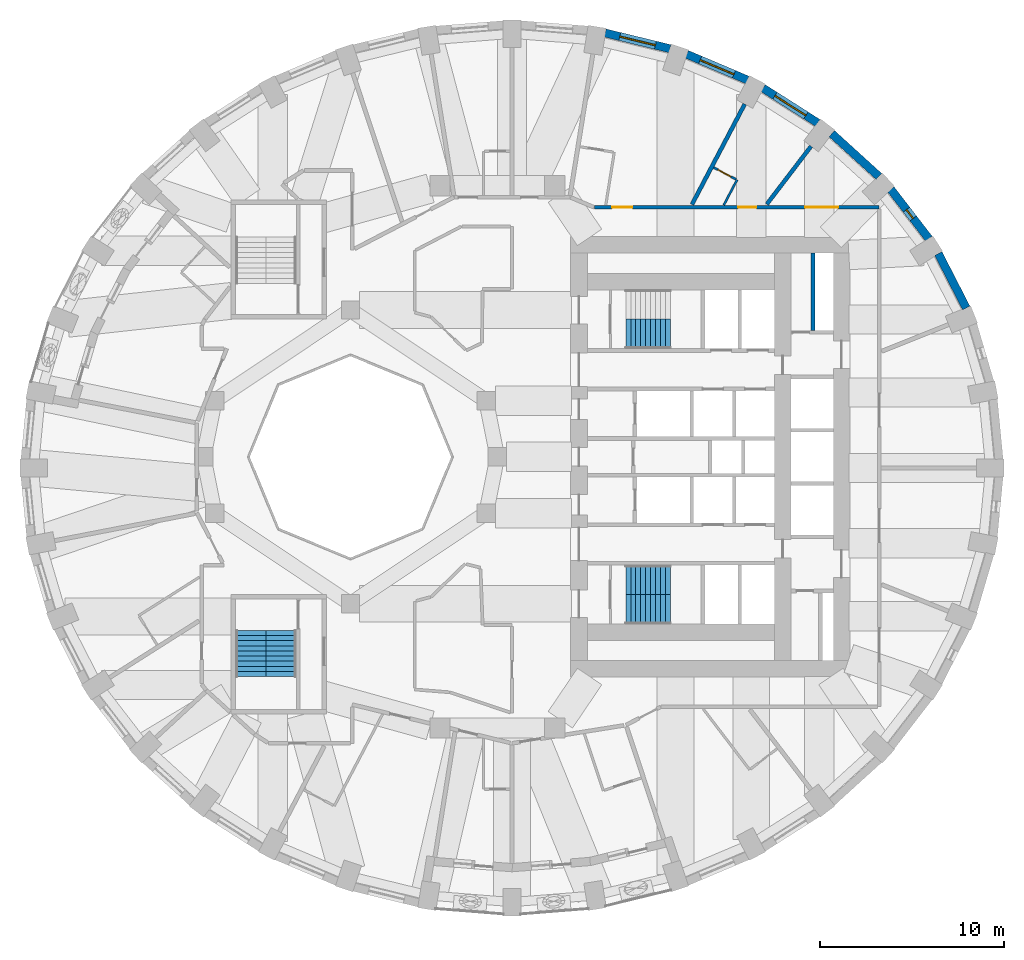
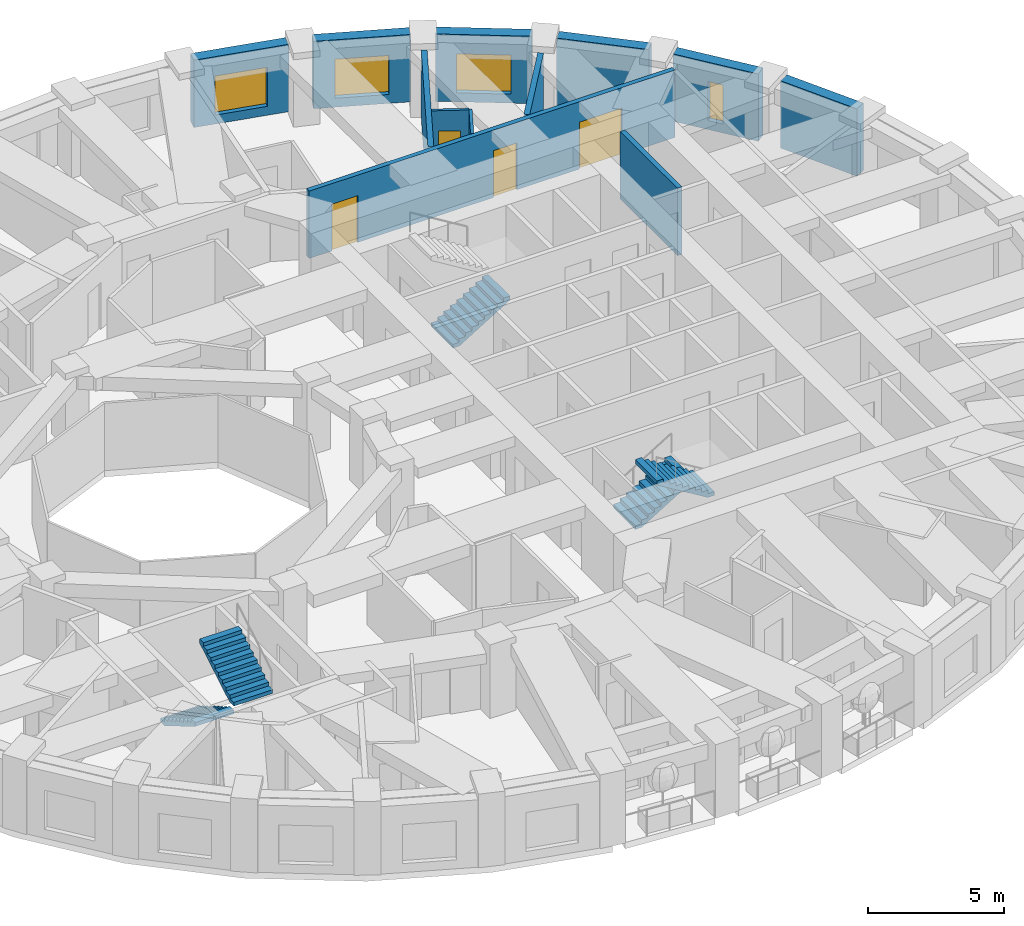
# One storey, part 9 of 13: 12 walls, 5 stair flights, 4 doors, 4 windows, 8 openings, 3 elements without a shape of their own.
"""IFC4 building model written with IfcOpenShell, lengths in metres."""

from ifc_helpers import new_model, si_unit, direction, frame, frame_2d, origin, place, context, subcontext, project, spatial, polyline, rectangle, outline, extrude, material, layer, layer_set, type_object, element, fill, aggregate, save


model = new_model("IFC4")

# Units and contexts
model_context = context("Model", 3, precision=1e-05, world=origin(), true_north=direction((0.0, 1.0)))
body_context = subcontext(model_context, "Body", "Model", "MODEL_VIEW")
ifc_project = project(units=[si_unit("LENGTHUNIT", "METRE"), si_unit("AREAUNIT", "SQUARE_METRE"), si_unit("VOLUMEUNIT", "CUBIC_METRE"), si_unit("PLANEANGLEUNIT", "RADIAN"), si_unit("MASSUNIT", "GRAM", prefix="KILO")], contexts=[model_context])

# Site, building, storey
site_placement = place(None, origin())
site = spatial("IfcSite", under=ifc_project, at=site_placement, CompositionType="ELEMENT")
building_placement = place(site_placement, origin())
building = spatial("IfcBuilding", under=site, at=building_placement, Name="Taillehof Tower", CompositionType="ELEMENT")
storey_placement = place(building_placement, frame((0.0, 0.0, 112.0)))
storey = spatial("IfcBuildingStorey", under=building, at=storey_placement, Name="L31", CompositionType="ELEMENT", Elevation=112.0)

# Wall
ifc_material_1 = material(Name="Brick masonry", Category="masonry")
ifc_layer_1 = layer(ifc_material_1, 0.449951171875)
ifc_layer_set_1 = layer_set([ifc_layer_1], Name="Brick infill wall 450")
wall_type_1 = type_object("IfcWallType", Name="Brick infill wall 450", PredefinedType="SOLIDWALL", material=ifc_layer_set_1)
wall_1_placement = place(storey_placement, frame((25.545166015625, 8.1123046875, 0.0), z_axis=(0.0, 0.0, 1.0), x_axis=(-0.456828186229, 0.889554949549, 0.0)))
element("IfcWall", 1, at=wall_1_placement, inside=storey, type_object=wall_type_1, Name="Brick wall L31 bay 3", PredefinedType="SOLIDWALL", context=body_context, shape_type="SweptSolid", body=[
    extrude(rectangle(XDim=3.332763671875, YDim=0.449951171875, at=frame_2d((1.66650390625, 0.0))), origin(), (0.0, 0.0, 1.0), 3.02001953125),
])

# Wall, opening, window
wall_2_placement = place(storey_placement, frame((23.508056640625, 11.887451171875, 0.0), z_axis=(0.0, 0.0, 1.0), x_axis=(-0.610693945156, 0.791866721961, 0.0)))
wall_2 = element("IfcWall", 2, at=wall_2_placement, inside=storey, type_object=wall_type_1, Name="Brick wall L31 bay 4", PredefinedType="SOLIDWALL", context=body_context, shape_type="SweptSolid", body=[
    extrude(rectangle(XDim=3.39453125, YDim=0.449951171875, at=frame_2d((1.697265625, 0.0))), origin(), (0.0, 0.0, 1.0), 3.02001953125),
])
opening_1_placement = place(wall_2_placement, frame((1.397216796875, 0.0, 0.39990234375)))
opening_1 = element("IfcOpeningElement", 3, at=opening_1_placement, cuts=wall_2, Name="Opening W6", PredefinedType="OPENING", context=body_context, shape_type="SweptSolid", body=[
    extrude(rectangle(XDim=0.60009765625, YDim=1.75, at=frame_2d((0.300048828125, 0.875))), frame((0.0, 0.23486328125, 0.0), z_axis=(0.0, -1.0, 0.0), x_axis=(1.0, 0.0, 0.0)), (0.0, 0.0, 1.0), 0.469970703125),
])
ifc_material_2 = material(Name="Aluminium window frame with clear double glazing", Category="aluminium")
window_type_1 = type_object("IfcWindowType", Name="Slot window 600x1750", PartitioningType="SINGLE_PANEL", PredefinedType="WINDOW", material=ifc_material_2)
window_1_placement = place(opening_1_placement, origin())
window_1 = element("IfcWindow", 4, at=window_1_placement, inside=storey, type_object=window_type_1, Name="W6", OverallHeight=1.75, OverallWidth=0.60009765625, PartitioningType="SINGLE_PANEL", PredefinedType="WINDOW", context=body_context, shape_type="SweptSolid", body=[
    extrude(rectangle(XDim=0.60009765625, YDim=1.75, at=frame_2d((0.300048828125, 0.875))), frame((0.0, 0.034912109375, 0.0), z_axis=(0.0, -1.0, 0.0), x_axis=(1.0, 0.0, 0.0)), (0.0, 0.0, 1.0), 0.06005859375),
])
fill(opening_1, window_1)

# Wall
wall_3_placement = place(storey_placement, frame((20.783935546875, 15.281005859375, 0.0), z_axis=(0.0, 0.0, 1.0), x_axis=(-0.74032902847, 0.672244694739, 0.0)))
element("IfcWall", 5, at=wall_3_placement, inside=storey, type_object=wall_type_1, Name="Brick wall L31 bay 5", PredefinedType="SOLIDWALL", context=body_context, shape_type="SweptSolid", body=[
    extrude(rectangle(XDim=3.4638671875, YDim=0.449951171875, at=frame_2d((1.73193359375, 0.0))), origin(), (0.0, 0.0, 1.0), 3.02001953125),
])

# Wall, opening, window
wall_4_placement = place(storey_placement, frame((17.456298828125, 18.19189453125, 0.0), z_axis=(0.0, 0.0, 1.0), x_axis=(-0.843880549131, 0.536531097699, 0.0)))
wall_4 = element("IfcWall", 6, at=wall_4_placement, inside=storey, type_object=wall_type_1, Name="Brick wall L31 bay 6", PredefinedType="SOLIDWALL", context=body_context, shape_type="SweptSolid", body=[
    extrude(rectangle(XDim=3.532470703125, YDim=0.449951171875, at=frame_2d((1.76611328125, 0.0))), origin(), (0.0, 0.0, 1.0), 3.02001953125),
])
opening_2_placement = place(wall_4_placement, frame((0.76611328125, 0.0, 0.39990234375)))
opening_2 = element("IfcOpeningElement", 7, at=opening_2_placement, cuts=wall_4, Name="Opening W2", PredefinedType="OPENING", context=body_context, shape_type="SweptSolid", body=[
    extrude(rectangle(XDim=2.0, YDim=1.75, at=frame_2d((1.0, 0.875))), frame((0.0, 0.23486328125, 0.0), z_axis=(0.0, -1.0, 0.0), x_axis=(1.0, 0.0, 0.0)), (0.0, 0.0, 1.0), 0.469970703125),
])
ifc_material_3 = material(Name="Aluminium window frame with clear double glazing", Category="aluminium")
window_type_2 = type_object("IfcWindowType", Name="Deep-set window 2000x1750", PartitioningType="SINGLE_PANEL", PredefinedType="WINDOW", material=ifc_material_3)
window_2_placement = place(opening_2_placement, origin())
window_2 = element("IfcWindow", 8, at=window_2_placement, inside=storey, type_object=window_type_2, Name="W2", OverallHeight=1.75, OverallWidth=2.0, PartitioningType="SINGLE_PANEL", PredefinedType="WINDOW", context=body_context, shape_type="SweptSolid", body=[
    extrude(rectangle(XDim=2.0, YDim=1.75, at=frame_2d((1.0, 0.875))), frame((0.0, 0.034912109375, 0.0), z_axis=(0.0, -1.0, 0.0), x_axis=(1.0, 0.0, 0.0)), (0.0, 0.0, 1.0), 0.06005859375),
])
fill(opening_2, window_2)

wall_5_placement = place(storey_placement, frame((13.625244140625, 20.533447265625, 0.0), z_axis=(0.0, 0.0, 1.0), x_axis=(-0.920869643542, 0.389870619055, 0.0)))
wall_5 = element("IfcWall", 9, at=wall_5_placement, inside=storey, type_object=wall_type_1, Name="Brick wall L31 bay 7", PredefinedType="SOLIDWALL", context=body_context, shape_type="SweptSolid", body=[
    extrude(rectangle(XDim=3.59130859375, YDim=0.449951171875, at=frame_2d((1.795654296875, 0.0))), origin(), (0.0, 0.0, 1.0), 3.02001953125),
])
opening_3_placement = place(wall_5_placement, frame((0.795654296875, 0.0, 0.39990234375)))
opening_3 = element("IfcOpeningElement", 10, at=opening_3_placement, cuts=wall_5, Name="Opening W2", PredefinedType="OPENING", context=body_context, shape_type="SweptSolid", body=[
    extrude(rectangle(XDim=2.0, YDim=1.75, at=frame_2d((1.0, 0.875))), frame((0.0, 0.23486328125, 0.0), z_axis=(0.0, -1.0, 0.0), x_axis=(1.0, 0.0, 0.0)), (0.0, 0.0, 1.0), 0.469970703125),
])
window_3_placement = place(opening_3_placement, origin())
window_3 = element("IfcWindow", 11, at=window_3_placement, inside=storey, type_object=window_type_2, Name="W2", OverallHeight=1.75, OverallWidth=2.0, PartitioningType="SINGLE_PANEL", PredefinedType="WINDOW", context=body_context, shape_type="SweptSolid", body=[
    extrude(rectangle(XDim=2.0, YDim=1.75, at=frame_2d((1.0, 0.875))), frame((0.0, 0.034912109375, 0.0), z_axis=(0.0, -1.0, 0.0), x_axis=(1.0, 0.0, 0.0)), (0.0, 0.0, 1.0), 0.06005859375),
])
fill(opening_3, window_3)

wall_6_placement = place(storey_placement, frame((9.406494140625, 22.2353515625, 0.0), z_axis=(0.0, 0.0, 1.0), x_axis=(-0.971667603162, 0.236351579148, 0.0)))
wall_6 = element("IfcWall", 12, at=wall_6_placement, inside=storey, type_object=wall_type_1, Name="Brick wall L31 bay 8", PredefinedType="SOLIDWALL", context=body_context, shape_type="SweptSolid", body=[
    extrude(rectangle(XDim=3.635009765625, YDim=0.449951171875, at=frame_2d((1.8173828125, 0.0))), origin(), (0.0, 0.0, 1.0), 3.02001953125),
])
opening_4_placement = place(wall_6_placement, frame((0.8173828125, 0.0, 0.39990234375)))
opening_4 = element("IfcOpeningElement", 13, at=opening_4_placement, cuts=wall_6, Name="Opening W2", PredefinedType="OPENING", context=body_context, shape_type="SweptSolid", body=[
    extrude(rectangle(XDim=2.0, YDim=1.75, at=frame_2d((1.0, 0.875))), frame((0.0, 0.23486328125, 0.0), z_axis=(0.0, -1.0, 0.0), x_axis=(1.0, 0.0, 0.0)), (0.0, 0.0, 1.0), 0.469970703125),
])
window_4_placement = place(opening_4_placement, origin())
window_4 = element("IfcWindow", 14, at=window_4_placement, inside=storey, type_object=window_type_2, Name="W2", OverallHeight=1.75, OverallWidth=2.0, PartitioningType="SINGLE_PANEL", PredefinedType="WINDOW", context=body_context, shape_type="SweptSolid", body=[
    extrude(rectangle(XDim=2.0, YDim=1.75, at=frame_2d((1.0, 0.875))), frame((0.0, 0.034912109375, 0.0), z_axis=(0.0, -1.0, 0.0), x_axis=(1.0, 0.0, 0.0)), (0.0, 0.0, 1.0), 0.06005859375),
])
fill(opening_4, window_4)

# Wall
ifc_material_4 = material(Name="Calcium silicate masonry", Category="masonry")
ifc_layer_2 = layer(ifc_material_4, 0.199951171875)
ifc_layer_set_2 = layer_set([ifc_layer_2], Name="Compartment wall calcium silicate 200")
wall_type_2 = type_object("IfcWallType", Name="Compartment wall calcium silicate 200", PredefinedType="PARTITIONING", material=ifc_layer_set_2)
wall_7_placement = place(storey_placement, frame((17.199951171875, 6.89990234375, 0.0), z_axis=(0.0, 0.0, 1.0), x_axis=(0.0, 1.0, 0.0)))
element("IfcWall", 15, at=wall_7_placement, inside=storey, type_object=wall_type_2, Name="Compartment wall FW", PredefinedType="PARTITIONING", context=body_context, shape_type="SweptSolid", body=[
    extrude(rectangle(XDim=4.2001953125, YDim=0.199951171875, at=frame_2d((2.10009765625, 0.0))), origin(), (0.0, 0.0, 1.0), 3.02001953125),
])

# Wall, openings, doors
ifc_material_5 = material(Name="Gypsum board on steel studs, two layers each side", Category="steel")
ifc_layer_3 = layer(ifc_material_5, 0.199951171875)
ifc_layer_set_3 = layer_set([ifc_layer_3], Name="Compartment wall corridor 200")
wall_type_3 = type_object("IfcWallType", Name="Compartment wall corridor 200", PredefinedType="PARTITIONING", material=ifc_layer_set_3)
wall_8_placement = place(storey_placement, frame((5.302734375, 13.60009765625, 0.0), z_axis=(0.0, 0.0, 1.0), x_axis=(1.0, 0.0, 0.0)))
wall_8 = element("IfcWall", 16, at=wall_8_placement, inside=storey, type_object=wall_type_3, Name="Compartment wall", PredefinedType="PARTITIONING", context=body_context, shape_type="SweptSolid", body=[
    extrude(rectangle(XDim=15.497314453125, YDim=0.199951171875, at=frame_2d((7.74853515625, 0.0))), origin(), (0.0, 0.0, 1.0), 3.02001953125),
])
opening_5_placement = place(wall_8_placement, frame((7.8125, 0.0, 0.0)))
opening_5 = element("IfcOpeningElement", 17, at=opening_5_placement, cuts=wall_8, Name="Opening D3140", PredefinedType="OPENING", context=body_context, shape_type="SweptSolid", body=[
    extrude(rectangle(XDim=1.0, YDim=2.10009765625, at=frame_2d((0.5, 1.050048828125))), frame((0.0, 0.10986328125, 0.0), z_axis=(0.0, -1.0, 0.0), x_axis=(1.0, 0.0, 0.0)), (0.0, 0.0, 1.0), 0.219970703125),
])
opening_6_placement = place(wall_8_placement, frame((0.957275390625, 0.0, 0.0)))
opening_6 = element("IfcOpeningElement", 18, at=opening_6_placement, cuts=wall_8, Name="Opening D3142", PredefinedType="OPENING", context=body_context, shape_type="SweptSolid", body=[
    extrude(rectangle(XDim=1.10009765625, YDim=2.10009765625, at=frame_2d((0.550048828125, 1.050048828125))), frame((0.0, 0.10986328125, 0.0), z_axis=(0.0, -1.0, 0.0), x_axis=(1.0, 0.0, 0.0)), (0.0, 0.0, 1.0), 0.219970703125),
])
opening_7_placement = place(wall_8_placement, frame((11.467041015625, 0.0, 0.0)))
opening_7 = element("IfcOpeningElement", 19, at=opening_7_placement, cuts=wall_8, Name="Opening D3167", PredefinedType="OPENING", context=body_context, shape_type="SweptSolid", body=[
    extrude(rectangle(XDim=1.800048828125, YDim=2.10009765625, at=frame_2d((0.89990234375, 1.050048828125))), frame((0.0, 0.10986328125, 0.0), z_axis=(0.0, -1.0, 0.0), x_axis=(1.0, 0.0, 0.0)), (0.0, 0.0, 1.0), 0.219970703125),
])
ifc_material_6 = material(Name="Timber door leaf in steel frame", Category="steel")
door_type_1 = type_object("IfcDoorType", Name="Guest room door EI 30 1000 x 2100", OperationType="SINGLE_SWING_LEFT", PredefinedType="DOOR", material=ifc_material_6)
door_1_placement = place(opening_5_placement, origin())
door_1 = element("IfcDoor", 20, at=door_1_placement, inside=storey, type_object=door_type_1, Name="D3140", OperationType="SINGLE_SWING_RIGHT", OverallHeight=2.10009765625, OverallWidth=1.0, PredefinedType="DOOR", context=body_context, shape_type="SweptSolid", body=[
    extrude(rectangle(XDim=1.0, YDim=2.10009765625, at=frame_2d((0.5, 1.050048828125))), frame((0.0, 0.02490234375, 0.0), z_axis=(0.0, -1.0, 0.0), x_axis=(1.0, 0.0, 0.0)), (0.0, 0.0, 1.0), 0.050048828125),
])
fill(opening_5, door_1)
ifc_material_7 = material(Name="Timber door leaf in steel frame", Category="steel")
door_type_2 = type_object("IfcDoorType", Name="Lounge and meeting room double door EI 30 1800 x 2100", OperationType="SINGLE_SWING_LEFT", PredefinedType="DOOR", material=ifc_material_7)
door_2_placement = place(opening_7_placement, origin())
door_2 = element("IfcDoor", 21, at=door_2_placement, inside=storey, type_object=door_type_2, Name="D3167", OperationType="DOUBLE_DOOR_SINGLE_SWING", OverallHeight=2.10009765625, OverallWidth=1.800048828125, PredefinedType="DOOR", context=body_context, shape_type="SweptSolid", body=[
    extrude(rectangle(XDim=1.800048828125, YDim=2.10009765625, at=frame_2d((0.89990234375, 1.050048828125))), frame((0.0, 0.02490234375, 0.0), z_axis=(0.0, -1.0, 0.0), x_axis=(1.0, 0.0, 0.0)), (0.0, 0.0, 1.0), 0.050048828125),
])
fill(opening_7, door_2)
ifc_material_8 = material(Name="Timber door leaf in steel frame", Category="steel")
door_type_3 = type_object("IfcDoorType", Name="Suite entrance door EI 30 1100 x 2100", OperationType="SINGLE_SWING_LEFT", PredefinedType="DOOR", material=ifc_material_8)
door_3_placement = place(opening_6_placement, origin())
door_3 = element("IfcDoor", 22, at=door_3_placement, inside=storey, type_object=door_type_3, Name="D3142", OperationType="SINGLE_SWING_LEFT", OverallHeight=2.10009765625, OverallWidth=1.10009765625, PredefinedType="DOOR", context=body_context, shape_type="SweptSolid", body=[
    extrude(rectangle(XDim=1.10009765625, YDim=2.10009765625, at=frame_2d((0.550048828125, 1.050048828125))), frame((0.0, 0.02490234375, 0.0), z_axis=(0.0, -1.0, 0.0), x_axis=(1.0, 0.0, 0.0)), (0.0, 0.0, 1.0), 0.050048828125),
])
fill(opening_6, door_3)

# Walls
ifc_material_9 = material(Name="Gypsum board on double steel studs with mineral wool", Category="steel")
ifc_layer_4 = layer(ifc_material_9, 0.219970703125)
ifc_layer_set_4 = layer_set([ifc_layer_4], Name="Compartment wall guest room 220")
wall_type_4 = type_object("IfcWallType", Name="Compartment wall guest room 220", PredefinedType="PARTITIONING", material=ifc_layer_set_4)
wall_9_placement = place(storey_placement, frame((17.08935546875, 16.9208984375, 0.0), z_axis=(0.0, 0.0, 1.0), x_axis=(-0.607055443677, -0.794659479464, 0.0)))
element("IfcWall", 23, at=wall_9_placement, inside=storey, type_object=wall_type_4, Name="Compartment wall", PredefinedType="PARTITIONING", context=body_context, shape_type="SweptSolid", body=[
    extrude(rectangle(XDim=3.97314453125, YDim=0.219970703125, at=frame_2d((1.986572265625, 0.0))), origin(), (0.0, 0.0, 1.0), 3.02001953125),
])
wall_10_placement = place(storey_placement, frame((13.47607421875, 19.217529296875, 0.0), z_axis=(0.0, 0.0, 1.0), x_axis=(-0.465345394262, -0.885129179295, 0.0)))
element("IfcWall", 24, at=wall_10_placement, inside=storey, type_object=wall_type_4, Name="Compartment wall", PredefinedType="PARTITIONING", context=body_context, shape_type="SweptSolid", body=[
    extrude(rectangle(XDim=6.1728515625, YDim=0.219970703125, at=frame_2d((3.08642578125, 0.0))), origin(), (0.0, 0.0, 1.0), 3.02001953125),
])
ifc_material_10 = material(Name="Gypsum board on steel studs, moisture resistant", Category="steel")
ifc_layer_5 = layer(ifc_material_10, 0.1201171875)
ifc_layer_set_5 = layer_set([ifc_layer_5], Name="En-suite wall 120")
wall_type_5 = type_object("IfcWallType", Name="En-suite wall 120", PredefinedType="PARTITIONING", material=ifc_layer_set_5)
wall_11_placement = place(storey_placement, frame((12.3359375, 13.718017578125, 0.0), z_axis=(0.0, 0.0, 1.0), x_axis=(0.465428746876, 0.88508535271, 0.0)))
element("IfcWall", 25, at=wall_11_placement, inside=storey, type_object=wall_type_5, Name="En-suite wall", PredefinedType="PARTITIONING", context=body_context, shape_type="SweptSolid", body=[
    extrude(rectangle(XDim=1.55224609375, YDim=0.1201171875, at=frame_2d((0.776123046875, 0.0))), origin(), (0.0, 0.0, 1.0), 3.02001953125),
])

# Wall, opening, door
wall_12_placement = place(storey_placement, frame((13.005126953125, 15.11962890625, 0.0), z_axis=(0.0, 0.0, 1.0), x_axis=(-0.885148383454, 0.465308864378, 0.0)))
wall_12 = element("IfcWall", 26, at=wall_12_placement, inside=storey, type_object=wall_type_5, Name="En-suite wall", PredefinedType="PARTITIONING", context=body_context, shape_type="SweptSolid", body=[
    extrude(rectangle(XDim=1.3798828125, YDim=0.1201171875, at=frame_2d((0.68994140625, 0.0))), origin(), (0.0, 0.0, 1.0), 3.02001953125),
])
opening_8_placement = place(wall_12_placement, frame((0.31494140625, 0.0, 0.0)))
opening_8 = element("IfcOpeningElement", 27, at=opening_8_placement, cuts=wall_12, Name="Opening D3141", PredefinedType="OPENING", context=body_context, shape_type="SweptSolid", body=[
    extrude(rectangle(XDim=0.800048828125, YDim=2.10009765625, at=frame_2d((0.39990234375, 1.050048828125))), frame((0.0, 0.070068359375, 0.0), z_axis=(0.0, -1.0, 0.0), x_axis=(1.0, 0.0, 0.0)), (0.0, 0.0, 1.0), 0.14013671875),
])
ifc_material_11 = material(Name="Timber door leaf in steel frame", Category="steel")
door_type_4 = type_object("IfcDoorType", Name="En-suite door 800 x 2100", OperationType="SINGLE_SWING_LEFT", PredefinedType="DOOR", material=ifc_material_11)
door_4_placement = place(opening_8_placement, origin())
door_4 = element("IfcDoor", 28, at=door_4_placement, inside=storey, type_object=door_type_4, Name="D3141", OperationType="SINGLE_SWING_LEFT", OverallHeight=2.10009765625, OverallWidth=0.800048828125, PredefinedType="DOOR", context=body_context, shape_type="SweptSolid", body=[
    extrude(rectangle(XDim=0.800048828125, YDim=2.10009765625, at=frame_2d((0.39990234375, 1.050048828125))), frame((0.0, 0.02490234375, 0.0), z_axis=(0.0, -1.0, 0.0), x_axis=(1.0, 0.0, 0.0)), (0.0, 0.0, 1.0), 0.050048828125),
])
fill(opening_8, door_4)

# Stair, stair flight
ifc_material_12 = material(Name="Concrete C40/50", Category="concrete")
stair_type = type_object("IfcStairType", Name="Exit stair half-turn", PredefinedType="HALF_TURN_STAIR", material=ifc_material_12)
stair_1_placement = place(storey_placement, origin())
stair_1 = element("IfcStair", 29, at=stair_1_placement, inside=storey, type_object=stair_type, Name="Exit stair S1", PredefinedType="HALF_TURN_STAIR")
ifc_material_13 = material(Name="Concrete C40/50", Category="concrete")
stair_flight_type_1 = type_object("IfcStairFlightType", Name="Stair flight 1600 riser 165.0 going 270", PredefinedType="STRAIGHT", material=ifc_material_13)
stair_flight_1_placement = place(storey_placement, frame((7.0, 6.699951171875, 0.0), z_axis=(0.0, 0.0, 1.0), x_axis=(1.0, 0.0, 0.0)))
stair_flight_1 = element("IfcStairFlight", 30, at=stair_flight_1_placement, type_object=stair_flight_type_1, Name="S1 flight 1", NumberOfRisers=10, NumberOfTreads=9, PredefinedType="STRAIGHT", RiserHeight=0.165, TreadLength=0.27, context=body_context, shape_type="SweptSolid", body=[
    extrude(outline(polyline([(0.0, 0.0), (0.0, 0.00537109375), (0.0, 0.0107421875), (0.0, 0.015869140625), (0.0, 0.021240234375), (0.0, 0.026611328125), (0.0, 0.031982421875), (0.0, 0.037353515625), (0.0, 0.04248046875), (0.0, 0.0478515625), (0.0, 0.05322265625), (0.0, 0.05859375), (0.0, 0.06396484375), (0.0, 0.069091796875), (0.0, 0.074462890625), (0.0, 0.079833984375), (0.0, 0.085205078125), (0.0, 0.090576171875), (0.0, 0.095703125), (0.0, 0.10107421875), (0.0, 0.1064453125), (0.0, 0.11181640625), (0.0, 0.1171875), (0.0, 0.122314453125), (0.0, 0.127685546875), (0.0, 0.133056640625), (0.0, 0.138427734375), (0.0, 0.143798828125), (0.0, 0.14892578125), (0.0, 0.154296875), (0.0, 0.15966796875), (0.0, 0.1650390625), (0.27001953125, 0.1650390625), (0.27001953125, 0.330078125), (0.5400390625, 0.330078125), (0.5400390625, 0.4951171875), (0.81005859375, 0.4951171875), (0.81005859375, 0.659912109375), (1.080078125, 0.659912109375), (1.080078125, 0.824951171875), (1.35009765625, 0.824951171875), (1.35009765625, 0.989990234375), (1.6201171875, 0.989990234375), (1.6201171875, 1.155029296875), (1.889892578125, 1.155029296875), (1.889892578125, 1.320068359375), (2.159912109375, 1.320068359375), (2.159912109375, 1.485107421875), (2.429931640625, 1.485107421875), (2.429931640625, 1.479248046875), (2.429931640625, 1.4736328125), (2.429931640625, 1.468017578125), (2.429931640625, 1.46240234375), (2.429931640625, 1.45654296875), (2.429931640625, 1.450927734375), (2.429931640625, 1.4453125), (2.429931640625, 1.439697265625), (2.429931640625, 1.43408203125), (2.429931640625, 1.42822265625), (2.429931640625, 1.422607421875), (2.429931640625, 1.4169921875), (2.429931640625, 1.411376953125), (2.429931640625, 1.40576171875), (2.429931640625, 1.39990234375), (2.429931640625, 1.394287109375), (2.429931640625, 1.388671875), (2.429931640625, 1.383056640625), (2.429931640625, 1.37744140625), (2.429931640625, 1.37158203125), (2.429931640625, 1.365966796875), (2.429931640625, 1.3603515625), (2.429931640625, 1.354736328125), (2.429931640625, 1.348876953125), (2.429931640625, 1.34326171875), (2.429931640625, 1.337646484375), (2.429931640625, 1.33203125), (2.429931640625, 1.326416015625), (2.429931640625, 1.320556640625), (2.429931640625, 1.31494140625), (2.429931640625, 1.309326171875), (0.287353515625, 0.0), (0.0, 0.0)])), frame((0.0, 0.800048828125, 0.0), z_axis=(0.0, -1.0, 0.0), x_axis=(1.0, 0.0, 0.0)), (0.0, 0.0, 1.0), 1.6),
])
aggregate(stair_1, [stair_flight_1])

# Stair, stair flights
stair_2_placement = place(storey_placement, origin())
stair_2 = element("IfcStair", 31, at=stair_2_placement, inside=storey, type_object=stair_type, Name="Exit stair S2", PredefinedType="HALF_TURN_STAIR")
stair_flight_2_placement = place(storey_placement, frame((7.0, -6.699951171875, 0.0), z_axis=(0.0, 0.0, 1.0), x_axis=(1.0, 0.0, 0.0)))
stair_flight_2 = element("IfcStairFlight", 32, at=stair_flight_2_placement, type_object=stair_flight_type_1, Name="S2 flight 1", NumberOfRisers=10, NumberOfTreads=9, PredefinedType="STRAIGHT", RiserHeight=0.165, TreadLength=0.27, context=body_context, shape_type="SweptSolid", body=[
    extrude(outline(polyline([(0.0, 0.0), (0.0, 0.00537109375), (0.0, 0.0107421875), (0.0, 0.015869140625), (0.0, 0.021240234375), (0.0, 0.026611328125), (0.0, 0.031982421875), (0.0, 0.037353515625), (0.0, 0.04248046875), (0.0, 0.0478515625), (0.0, 0.05322265625), (0.0, 0.05859375), (0.0, 0.06396484375), (0.0, 0.069091796875), (0.0, 0.074462890625), (0.0, 0.079833984375), (0.0, 0.085205078125), (0.0, 0.090576171875), (0.0, 0.095703125), (0.0, 0.10107421875), (0.0, 0.1064453125), (0.0, 0.11181640625), (0.0, 0.1171875), (0.0, 0.122314453125), (0.0, 0.127685546875), (0.0, 0.133056640625), (0.0, 0.138427734375), (0.0, 0.143798828125), (0.0, 0.14892578125), (0.0, 0.154296875), (0.0, 0.15966796875), (0.0, 0.1650390625), (0.27001953125, 0.1650390625), (0.27001953125, 0.330078125), (0.5400390625, 0.330078125), (0.5400390625, 0.4951171875), (0.81005859375, 0.4951171875), (0.81005859375, 0.659912109375), (1.080078125, 0.659912109375), (1.080078125, 0.824951171875), (1.35009765625, 0.824951171875), (1.35009765625, 0.989990234375), (1.6201171875, 0.989990234375), (1.6201171875, 1.155029296875), (1.889892578125, 1.155029296875), (1.889892578125, 1.320068359375), (2.159912109375, 1.320068359375), (2.159912109375, 1.485107421875), (2.429931640625, 1.485107421875), (2.429931640625, 1.479248046875), (2.429931640625, 1.4736328125), (2.429931640625, 1.468017578125), (2.429931640625, 1.46240234375), (2.429931640625, 1.45654296875), (2.429931640625, 1.450927734375), (2.429931640625, 1.4453125), (2.429931640625, 1.439697265625), (2.429931640625, 1.43408203125), (2.429931640625, 1.42822265625), (2.429931640625, 1.422607421875), (2.429931640625, 1.4169921875), (2.429931640625, 1.411376953125), (2.429931640625, 1.40576171875), (2.429931640625, 1.39990234375), (2.429931640625, 1.394287109375), (2.429931640625, 1.388671875), (2.429931640625, 1.383056640625), (2.429931640625, 1.37744140625), (2.429931640625, 1.37158203125), (2.429931640625, 1.365966796875), (2.429931640625, 1.3603515625), (2.429931640625, 1.354736328125), (2.429931640625, 1.348876953125), (2.429931640625, 1.34326171875), (2.429931640625, 1.337646484375), (2.429931640625, 1.33203125), (2.429931640625, 1.326416015625), (2.429931640625, 1.320556640625), (2.429931640625, 1.31494140625), (2.429931640625, 1.309326171875), (0.287353515625, 0.0), (0.0, 0.0)])), frame((0.0, 0.800048828125, 0.0), z_axis=(0.0, -1.0, 0.0), x_axis=(1.0, 0.0, 0.0)), (0.0, 0.0, 1.0), 1.6),
])
stair_flight_3_placement = place(storey_placement, frame((9.429931640625, -8.300048828125, 1.64990234375), z_axis=(0.0, 0.0, 1.0), x_axis=(-1.0, 0.0, 0.0)))
stair_flight_3 = element("IfcStairFlight", 33, at=stair_flight_3_placement, type_object=stair_flight_type_1, Name="S2 flight 2", NumberOfRisers=10, NumberOfTreads=9, PredefinedType="STRAIGHT", RiserHeight=0.165, TreadLength=0.27, context=body_context, shape_type="SweptSolid", body=[
    extrude(outline(polyline([(0.0, 0.0), (0.0, 0.00537109375), (0.0, 0.0107421875), (0.0, 0.015869140625), (0.0, 0.021240234375), (0.0, 0.026611328125), (0.0, 0.031982421875), (0.0, 0.037353515625), (0.0, 0.04248046875), (0.0, 0.0478515625), (0.0, 0.05322265625), (0.0, 0.05859375), (0.0, 0.06396484375), (0.0, 0.069091796875), (0.0, 0.074462890625), (0.0, 0.079833984375), (0.0, 0.085205078125), (0.0, 0.090576171875), (0.0, 0.095703125), (0.0, 0.10107421875), (0.0, 0.1064453125), (0.0, 0.11181640625), (0.0, 0.1171875), (0.0, 0.122314453125), (0.0, 0.127685546875), (0.0, 0.133056640625), (0.0, 0.138427734375), (0.0, 0.143798828125), (0.0, 0.14892578125), (0.0, 0.154296875), (0.0, 0.15966796875), (0.0, 0.1650390625), (0.27001953125, 0.1650390625), (0.27001953125, 0.330078125), (0.5400390625, 0.330078125), (0.5400390625, 0.4951171875), (0.81005859375, 0.4951171875), (0.81005859375, 0.659912109375), (1.080078125, 0.659912109375), (1.080078125, 0.824951171875), (1.35009765625, 0.824951171875), (1.35009765625, 0.989990234375), (1.6201171875, 0.989990234375), (1.6201171875, 1.155029296875), (1.889892578125, 1.155029296875), (1.889892578125, 1.320068359375), (2.159912109375, 1.320068359375), (2.159912109375, 1.485107421875), (2.429931640625, 1.485107421875), (2.429931640625, 1.479248046875), (2.429931640625, 1.4736328125), (2.429931640625, 1.468017578125), (2.429931640625, 1.46240234375), (2.429931640625, 1.45654296875), (2.429931640625, 1.450927734375), (2.429931640625, 1.4453125), (2.429931640625, 1.439697265625), (2.429931640625, 1.43408203125), (2.429931640625, 1.42822265625), (2.429931640625, 1.422607421875), (2.429931640625, 1.4169921875), (2.429931640625, 1.411376953125), (2.429931640625, 1.40576171875), (2.429931640625, 1.39990234375), (2.429931640625, 1.394287109375), (2.429931640625, 1.388671875), (2.429931640625, 1.383056640625), (2.429931640625, 1.37744140625), (2.429931640625, 1.37158203125), (2.429931640625, 1.365966796875), (2.429931640625, 1.3603515625), (2.429931640625, 1.354736328125), (2.429931640625, 1.348876953125), (2.429931640625, 1.34326171875), (2.429931640625, 1.337646484375), (2.429931640625, 1.33203125), (2.429931640625, 1.326416015625), (2.429931640625, 1.320556640625), (2.429931640625, 1.31494140625), (2.429931640625, 1.309326171875), (0.287353515625, 0.0), (0.0, 0.0)])), frame((0.0, 0.800048828125, 0.0), z_axis=(0.0, -1.0, 0.0), x_axis=(1.0, 0.0, 0.0)), (0.0, 0.0, 1.0), 1.6),
])
aggregate(stair_2, [stair_flight_2, stair_flight_3])

stair_3_placement = place(storey_placement, origin())
stair_3 = element("IfcStair", 34, at=stair_3_placement, inside=storey, type_object=stair_type, Name="Exit stair S4", PredefinedType="HALF_TURN_STAIR")
ifc_material_14 = material(Name="Concrete C40/50", Category="concrete")
stair_flight_type_2 = type_object("IfcStairFlightType", Name="Stair flight 1650 riser 165.0 going 280", PredefinedType="STRAIGHT", material=ifc_material_14)
stair_flight_4_placement = place(storey_placement, frame((-13.425048828125, -9.449951171875, 0.0), z_axis=(0.0, 0.0, 1.0), x_axis=(0.0, -1.0, 0.0)))
stair_flight_4 = element("IfcStairFlight", 35, at=stair_flight_4_placement, type_object=stair_flight_type_2, Name="S4 flight 1", NumberOfRisers=10, NumberOfTreads=9, PredefinedType="STRAIGHT", RiserHeight=0.165, TreadLength=0.28, context=body_context, shape_type="SweptSolid", body=[
    extrude(outline(polyline([(0.0, 0.0), (0.0, 0.00537109375), (0.0, 0.0107421875), (0.0, 0.015869140625), (0.0, 0.021240234375), (0.0, 0.026611328125), (0.0, 0.031982421875), (0.0, 0.037353515625), (0.0, 0.04248046875), (0.0, 0.0478515625), (0.0, 0.05322265625), (0.0, 0.05859375), (0.0, 0.06396484375), (0.0, 0.069091796875), (0.0, 0.074462890625), (0.0, 0.079833984375), (0.0, 0.085205078125), (0.0, 0.090576171875), (0.0, 0.095703125), (0.0, 0.10107421875), (0.0, 0.1064453125), (0.0, 0.11181640625), (0.0, 0.1171875), (0.0, 0.122314453125), (0.0, 0.127685546875), (0.0, 0.133056640625), (0.0, 0.138427734375), (0.0, 0.143798828125), (0.0, 0.14892578125), (0.0, 0.154296875), (0.0, 0.15966796875), (0.0, 0.1650390625), (0.280029296875, 0.1650390625), (0.280029296875, 0.330078125), (0.56005859375, 0.330078125), (0.56005859375, 0.4951171875), (0.840087890625, 0.4951171875), (0.840087890625, 0.659912109375), (1.1201171875, 0.659912109375), (1.1201171875, 0.824951171875), (1.39990234375, 0.824951171875), (1.39990234375, 0.989990234375), (1.679931640625, 0.989990234375), (1.679931640625, 1.155029296875), (1.9599609375, 1.155029296875), (1.9599609375, 1.320068359375), (2.239990234375, 1.320068359375), (2.239990234375, 1.485107421875), (2.52001953125, 1.485107421875), (2.52001953125, 1.4794921875), (2.52001953125, 1.473876953125), (2.52001953125, 1.46826171875), (2.52001953125, 1.462646484375), (2.52001953125, 1.45703125), (2.52001953125, 1.451416015625), (2.52001953125, 1.44580078125), (2.52001953125, 1.440185546875), (2.52001953125, 1.4345703125), (2.52001953125, 1.428955078125), (2.52001953125, 1.42333984375), (2.52001953125, 1.417724609375), (2.52001953125, 1.412109375), (2.52001953125, 1.406494140625), (2.52001953125, 1.40087890625), (2.52001953125, 1.395263671875), (2.52001953125, 1.3896484375), (2.52001953125, 1.384033203125), (2.52001953125, 1.37841796875), (2.52001953125, 1.372802734375), (2.52001953125, 1.3671875), (2.52001953125, 1.361572265625), (2.52001953125, 1.35595703125), (2.52001953125, 1.350341796875), (2.52001953125, 1.3447265625), (2.52001953125, 1.339111328125), (2.52001953125, 1.33349609375), (2.52001953125, 1.327880859375), (2.52001953125, 1.322265625), (2.52001953125, 1.316650390625), (2.52001953125, 1.31103515625), (0.295166015625, 0.0), (0.0, 0.0)])), frame((0.0, 0.824951171875, 0.0), z_axis=(0.0, -1.0, 0.0), x_axis=(1.0, 0.0, 0.0)), (0.0, 0.0, 1.0), 1.65),
])
stair_flight_5_placement = place(storey_placement, frame((-11.77490234375, -11.969970703125, 1.64990234375), z_axis=(0.0, 0.0, 1.0), x_axis=(0.0, 1.0, 0.0)))
stair_flight_5 = element("IfcStairFlight", 36, at=stair_flight_5_placement, type_object=stair_flight_type_2, Name="S4 flight 2", NumberOfRisers=10, NumberOfTreads=9, PredefinedType="STRAIGHT", RiserHeight=0.165, TreadLength=0.28, context=body_context, shape_type="SweptSolid", body=[
    extrude(outline(polyline([(0.0, 0.0), (0.0, 0.00537109375), (0.0, 0.0107421875), (0.0, 0.015869140625), (0.0, 0.021240234375), (0.0, 0.026611328125), (0.0, 0.031982421875), (0.0, 0.037353515625), (0.0, 0.04248046875), (0.0, 0.0478515625), (0.0, 0.05322265625), (0.0, 0.05859375), (0.0, 0.06396484375), (0.0, 0.069091796875), (0.0, 0.074462890625), (0.0, 0.079833984375), (0.0, 0.085205078125), (0.0, 0.090576171875), (0.0, 0.095703125), (0.0, 0.10107421875), (0.0, 0.1064453125), (0.0, 0.11181640625), (0.0, 0.1171875), (0.0, 0.122314453125), (0.0, 0.127685546875), (0.0, 0.133056640625), (0.0, 0.138427734375), (0.0, 0.143798828125), (0.0, 0.14892578125), (0.0, 0.154296875), (0.0, 0.15966796875), (0.0, 0.1650390625), (0.280029296875, 0.1650390625), (0.280029296875, 0.330078125), (0.56005859375, 0.330078125), (0.56005859375, 0.4951171875), (0.840087890625, 0.4951171875), (0.840087890625, 0.659912109375), (1.1201171875, 0.659912109375), (1.1201171875, 0.824951171875), (1.39990234375, 0.824951171875), (1.39990234375, 0.989990234375), (1.679931640625, 0.989990234375), (1.679931640625, 1.155029296875), (1.9599609375, 1.155029296875), (1.9599609375, 1.320068359375), (2.239990234375, 1.320068359375), (2.239990234375, 1.485107421875), (2.52001953125, 1.485107421875), (2.52001953125, 1.4794921875), (2.52001953125, 1.473876953125), (2.52001953125, 1.46826171875), (2.52001953125, 1.462646484375), (2.52001953125, 1.45703125), (2.52001953125, 1.451416015625), (2.52001953125, 1.44580078125), (2.52001953125, 1.440185546875), (2.52001953125, 1.4345703125), (2.52001953125, 1.428955078125), (2.52001953125, 1.42333984375), (2.52001953125, 1.417724609375), (2.52001953125, 1.412109375), (2.52001953125, 1.406494140625), (2.52001953125, 1.40087890625), (2.52001953125, 1.395263671875), (2.52001953125, 1.3896484375), (2.52001953125, 1.384033203125), (2.52001953125, 1.37841796875), (2.52001953125, 1.372802734375), (2.52001953125, 1.3671875), (2.52001953125, 1.361572265625), (2.52001953125, 1.35595703125), (2.52001953125, 1.350341796875), (2.52001953125, 1.3447265625), (2.52001953125, 1.339111328125), (2.52001953125, 1.33349609375), (2.52001953125, 1.327880859375), (2.52001953125, 1.322265625), (2.52001953125, 1.316650390625), (2.52001953125, 1.31103515625), (0.295166015625, 0.0), (0.0, 0.0)])), frame((0.0, 0.824951171875, 0.0), z_axis=(0.0, -1.0, 0.0), x_axis=(1.0, 0.0, 0.0)), (0.0, 0.0, 1.0), 1.65),
])
aggregate(stair_3, [stair_flight_4, stair_flight_5])

save(model, "model.ifc")
